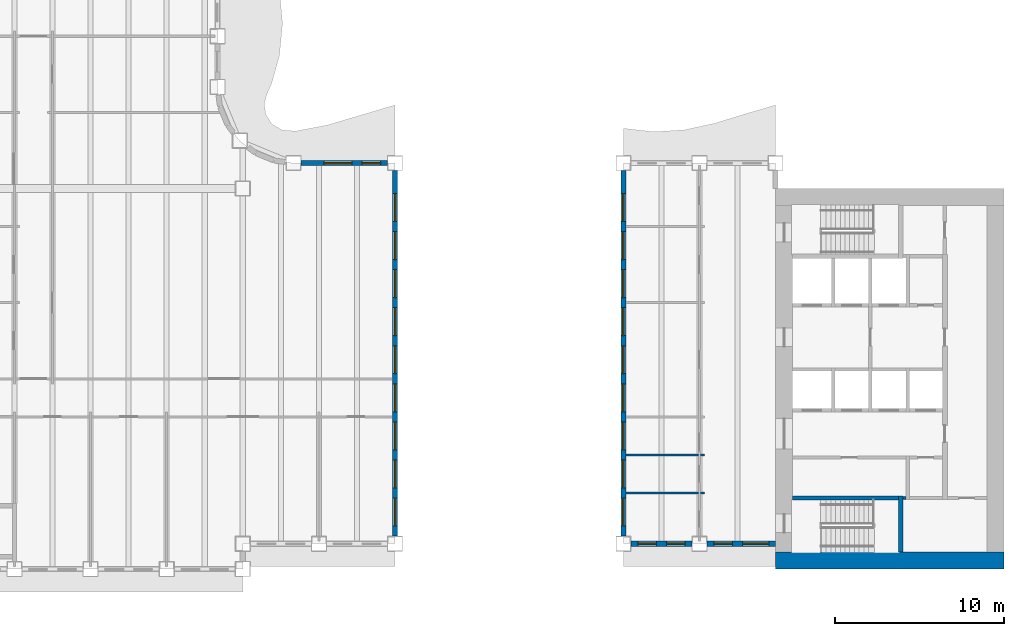
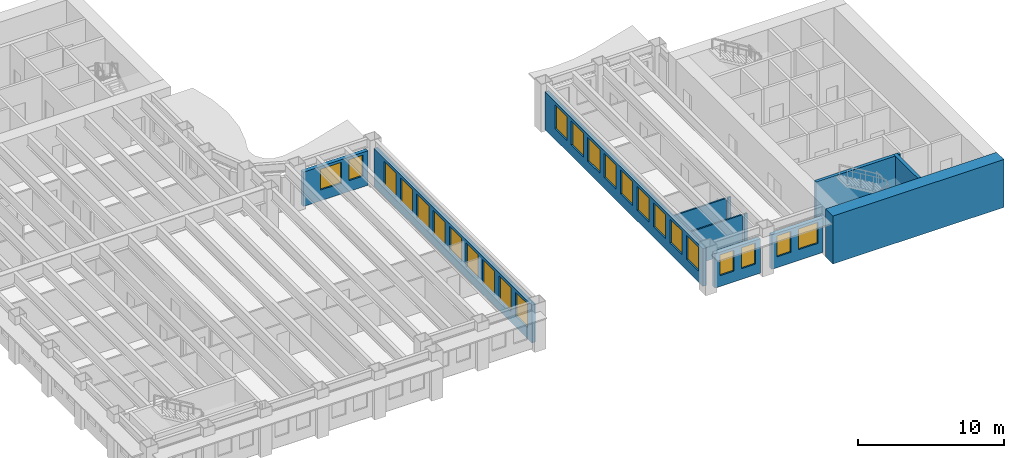
# One storey, part 5 of 13: 24 windows, 13 walls, 24 openings.
"""IFC4 building model written with IfcOpenShell, lengths in metres."""

from ifc_helpers import new_model, si_unit, direction, frame, frame_2d, origin, place, context, subcontext, project, spatial, rectangle, extrude, material, layer, layer_set, type_object, element, fill, save


model = new_model("IFC4")

# Units and contexts
model_context = context("Model", 3, precision=1e-05, world=origin(), true_north=direction((0.0, 1.0)))
body_context = subcontext(model_context, "Body", "Model", "MODEL_VIEW")
ifc_project = project(units=[si_unit("LENGTHUNIT", "METRE"), si_unit("AREAUNIT", "SQUARE_METRE"), si_unit("VOLUMEUNIT", "CUBIC_METRE"), si_unit("PLANEANGLEUNIT", "RADIAN"), si_unit("MASSUNIT", "GRAM", prefix="KILO")], contexts=[model_context])

# Site, building, storey
site_placement = place(None, origin())
site = spatial("IfcSite", under=ifc_project, at=site_placement, CompositionType="ELEMENT")
building_placement = place(site_placement, origin())
building = spatial("IfcBuilding", under=site, at=building_placement, Name="Sennacour Bend Tower", CompositionType="ELEMENT")
storey_placement = place(building_placement, frame((0.0, 0.0, 143.0)))
storey = spatial("IfcBuildingStorey", under=building, at=storey_placement, Name="L32", CompositionType="ELEMENT", Elevation=143.0)

# Walls
ifc_material_1 = material(Name="Concrete C60/75", Category="concrete")
ifc_layer_1 = layer(ifc_material_1, 1.0, Name="Concrete C60/75", Category="concrete")
ifc_layer_set_1 = layer_set([ifc_layer_1], Name="Concrete C60/75")
wall_type_1 = type_object("IfcWallType", Name="Core wall 1000 C60/75", PredefinedType="SHEAR", material=ifc_layer_set_1)
wall_1_placement = place(storey_placement, frame((67.5, 0.5, -0.14990234375), z_axis=(0.0, 0.0, 1.0), x_axis=(-1.0, 0.0, 0.0)))
element("IfcWall", 1, at=wall_1_placement, inside=storey, type_object=wall_type_1, Name="Core A wall L32 S", PredefinedType="SHEAR", context=body_context, shape_type="SweptSolid", body=[
    extrude(rectangle(XDim=13.5, YDim=1.0, at=frame_2d((6.75, 0.0))), origin(), (0.0, 0.0, 1.0), 4.0),
])
ifc_material_2 = material(Name="Plasterboard partition on steel studs", Category="steel")
ifc_layer_2 = layer(ifc_material_2, 0.1201171875, Name="Plasterboard partition on steel studs", Category="steel")
ifc_layer_set_2 = layer_set([ifc_layer_2], Name="Plasterboard partition on steel studs")
wall_type_2 = type_object("IfcWallType", Name="Partition 120", PredefinedType="PARTITIONING", material=ifc_layer_set_2)
wall_2_placement = place(storey_placement, frame((45.14990234375, 4.5, 0.0), z_axis=(0.0, 0.0, 1.0), x_axis=(1.0, 0.0, 0.0)))
element("IfcWall", 2, at=wall_2_placement, inside=storey, type_object=wall_type_2, Name="P-L32-W048aa", PredefinedType="PARTITIONING", context=body_context, shape_type="SweptSolid", body=[
    extrude(rectangle(XDim=4.2900390625, YDim=0.1201171875, at=frame_2d((2.14501953125, 0.0))), origin(), (0.0, 0.0, 1.0), 2.8701171875),
])
wall_3_placement = place(storey_placement, frame((49.56005859375, 4.5, 0.0), z_axis=(0.0, 0.0, 1.0), x_axis=(1.0, 0.0, 0.0)))
element("IfcWall", 3, at=wall_3_placement, inside=storey, type_object=wall_type_2, Name="P-L32-W048ab", PredefinedType="PARTITIONING", context=body_context, shape_type="SweptSolid", body=[
    extrude(rectangle(XDim=0.239990234375, YDim=0.1201171875, at=frame_2d((0.1201171875, 0.0))), origin(), (0.0, 0.0, 1.0), 2.8701171875),
])
wall_4_placement = place(storey_placement, frame((45.14990234375, 6.75, 0.0), z_axis=(0.0, 0.0, 1.0), x_axis=(1.0, 0.0, 0.0)))
element("IfcWall", 4, at=wall_4_placement, inside=storey, type_object=wall_type_2, Name="P-L32-W050aa", PredefinedType="PARTITIONING", context=body_context, shape_type="SweptSolid", body=[
    extrude(rectangle(XDim=4.2900390625, YDim=0.1201171875, at=frame_2d((2.14501953125, 0.0))), origin(), (0.0, 0.0, 1.0), 2.8701171875),
])
wall_5_placement = place(storey_placement, frame((49.56005859375, 6.75, 0.0), z_axis=(0.0, 0.0, 1.0), x_axis=(1.0, 0.0, 0.0)))
element("IfcWall", 5, at=wall_5_placement, inside=storey, type_object=wall_type_2, Name="P-L32-W050ab", PredefinedType="PARTITIONING", context=body_context, shape_type="SweptSolid", body=[
    extrude(rectangle(XDim=0.239990234375, YDim=0.1201171875, at=frame_2d((0.1201171875, 0.0))), origin(), (0.0, 0.0, 1.0), 2.8701171875),
])
ifc_material_3 = material(Name="Fire-rated plasterboard partition on steel studs", Category="steel")
ifc_layer_3 = layer(ifc_material_3, 0.199951171875, Name="Fire-rated plasterboard partition on steel studs", Category="steel")
ifc_layer_set_3 = layer_set([ifc_layer_3], Name="Fire-rated plasterboard partition on steel studs")
wall_type_3 = type_object("IfcWallType", Name="Rated partition 200", PredefinedType="PARTITIONING", material=ifc_layer_set_3)
wall_6_placement = place(storey_placement, frame((61.52490234375, 4.199951171875, 0.0), z_axis=(0.0, 0.0, 1.0), x_axis=(1.0, 0.0, 0.0)))
element("IfcWall", 6, at=wall_6_placement, inside=storey, type_object=wall_type_3, Name="P-L32-W047a", PredefinedType="PARTITIONING", context=body_context, shape_type="SweptSolid", body=[
    extrude(rectangle(XDim=0.175048828125, YDim=0.199951171875, at=frame_2d((0.08740234375, 0.0))), origin(), (0.0, 0.0, 1.0), 3.85009765625),
])

# Wall, openings, windows
ifc_material_4 = material(Name="Warm limestone cladding", Category="masonry")
ifc_layer_4 = layer(ifc_material_4, 0.050048828125, Name="Warm limestone cladding", Category="masonry")
ifc_material_5 = material(Name="Precast concrete C40/50", Category="concrete")
ifc_layer_5 = layer(ifc_material_5, 0.25, Name="Precast concrete C40/50", Category="concrete")
ifc_layer_set_4 = layer_set([ifc_layer_4, ifc_layer_5], Name="Precast concrete C40/50 with limestone cladding")
wall_type_4 = type_object("IfcWallType", Name="STONE-CLAD PRECAST SPANDREL 300", PredefinedType="STANDARD", material=ifc_layer_set_4)
wall_7_placement = place(storey_placement, frame((45.449951171875, 1.5, 0.0), z_axis=(0.0, 0.0, 1.0), x_axis=(1.0, 0.0, 0.0)))
wall_7 = element("IfcWall", 7, at=wall_7_placement, inside=storey, type_object=wall_type_4, Name="Stone spandrel and pier wall L32 00.00", PredefinedType="STANDARD", context=body_context, shape_type="SweptSolid", body=[
    extrude(rectangle(XDim=3.60009765625, YDim=0.300048828125, at=frame_2d((1.800048828125, 0.0))), origin(), (0.0, 0.0, 1.0), 2.8701171875),
])
opening_1_placement = place(wall_7_placement, frame((0.39990234375, 0.0, 0.89990234375)))
opening_1 = element("IfcOpeningElement", 8, at=opening_1_placement, cuts=wall_7, Name="Opening W17", PredefinedType="OPENING", context=body_context, shape_type="SweptSolid", body=[
    extrude(rectangle(XDim=1.10009765625, YDim=1.75, at=frame_2d((0.550048828125, 0.875))), frame((0.0, 0.16015625, 0.0), z_axis=(0.0, -1.0, 0.0), x_axis=(1.0, 0.0, 0.0)), (0.0, 0.0, 1.0), 0.320068359375),
])
opening_2_placement = place(wall_7_placement, frame((2.10009765625, 0.0, 0.89990234375)))
opening_2 = element("IfcOpeningElement", 9, at=opening_2_placement, cuts=wall_7, Name="Opening W17", PredefinedType="OPENING", context=body_context, shape_type="SweptSolid", body=[
    extrude(rectangle(XDim=1.10009765625, YDim=1.75, at=frame_2d((0.550048828125, 0.875))), frame((0.0, 0.16015625, 0.0), z_axis=(0.0, -1.0, 0.0), x_axis=(1.0, 0.0, 0.0)), (0.0, 0.0, 1.0), 0.320068359375),
])
ifc_material_6 = material(Name="Clear low-emissivity glass", Category="glass")
window_type_1 = type_object("IfcWindowType", Name="WIN-RIBBON-1100x1750", PartitioningType="SINGLE_PANEL", PredefinedType="WINDOW", material=ifc_material_6)
window_1_placement = place(opening_1_placement, origin())
window_1 = element("IfcWindow", 10, at=window_1_placement, inside=storey, type_object=window_type_1, Name="Ribbon window L32 00.00.0", OverallHeight=1.75, OverallWidth=1.10009765625, PartitioningType="SINGLE_PANEL", PredefinedType="WINDOW", context=body_context, shape_type="SweptSolid", body=[
    extrude(rectangle(XDim=1.10009765625, YDim=1.75, at=frame_2d((0.550048828125, 0.875))), frame((0.0, 0.030029296875, 0.0), z_axis=(0.0, -1.0, 0.0), x_axis=(1.0, 0.0, 0.0)), (0.0, 0.0, 1.0), 0.06005859375),
])
fill(opening_1, window_1)
window_2_placement = place(opening_2_placement, origin())
window_2 = element("IfcWindow", 11, at=window_2_placement, inside=storey, type_object=window_type_1, Name="Ribbon window L32 00.00.1", OverallHeight=1.75, OverallWidth=1.10009765625, PartitioningType="SINGLE_PANEL", PredefinedType="WINDOW", context=body_context, shape_type="SweptSolid", body=[
    extrude(rectangle(XDim=1.10009765625, YDim=1.75, at=frame_2d((0.550048828125, 0.875))), frame((0.0, 0.030029296875, 0.0), z_axis=(0.0, -1.0, 0.0), x_axis=(1.0, 0.0, 0.0)), (0.0, 0.0, 1.0), 0.06005859375),
])
fill(opening_2, window_2)

wall_8_placement = place(storey_placement, frame((49.949951171875, 1.5, 0.0), z_axis=(0.0, 0.0, 1.0), x_axis=(1.0, 0.0, 0.0)))
wall_8 = element("IfcWall", 12, at=wall_8_placement, inside=storey, type_object=wall_type_4, Name="Stone spandrel and pier wall L32 00.01", PredefinedType="STANDARD", context=body_context, shape_type="SweptSolid", body=[
    extrude(rectangle(XDim=4.050048828125, YDim=0.300048828125, at=frame_2d((2.02490234375, 0.0))), origin(), (0.0, 0.0, 1.0), 2.8701171875),
])
opening_3_placement = place(wall_8_placement, frame((0.39990234375, 0.0, 0.89990234375)))
opening_3 = element("IfcOpeningElement", 13, at=opening_3_placement, cuts=wall_8, Name="Opening W17", PredefinedType="OPENING", context=body_context, shape_type="SweptSolid", body=[
    extrude(rectangle(XDim=1.10009765625, YDim=1.75, at=frame_2d((0.550048828125, 0.875))), frame((0.0, 0.16015625, 0.0), z_axis=(0.0, -1.0, 0.0), x_axis=(1.0, 0.0, 0.0)), (0.0, 0.0, 1.0), 0.320068359375),
])
opening_4_placement = place(wall_8_placement, frame((2.10009765625, 0.0, 0.89990234375)))
opening_4 = element("IfcOpeningElement", 14, at=opening_4_placement, cuts=wall_8, Name="Opening W12", PredefinedType="OPENING", context=body_context, shape_type="SweptSolid", body=[
    extrude(rectangle(XDim=1.550048828125, YDim=1.75, at=frame_2d((0.77490234375, 0.875))), frame((0.0, 0.16015625, 0.0), z_axis=(0.0, -1.0, 0.0), x_axis=(1.0, 0.0, 0.0)), (0.0, 0.0, 1.0), 0.320068359375),
])
window_3_placement = place(opening_3_placement, origin())
window_3 = element("IfcWindow", 15, at=window_3_placement, inside=storey, type_object=window_type_1, Name="Ribbon window L32 00.01.0", OverallHeight=1.75, OverallWidth=1.10009765625, PartitioningType="SINGLE_PANEL", PredefinedType="WINDOW", context=body_context, shape_type="SweptSolid", body=[
    extrude(rectangle(XDim=1.10009765625, YDim=1.75, at=frame_2d((0.550048828125, 0.875))), frame((0.0, 0.030029296875, 0.0), z_axis=(0.0, -1.0, 0.0), x_axis=(1.0, 0.0, 0.0)), (0.0, 0.0, 1.0), 0.06005859375),
])
fill(opening_3, window_3)
window_type_2 = type_object("IfcWindowType", Name="WIN-RIBBON-1550x1750", PartitioningType="SINGLE_PANEL", PredefinedType="WINDOW", material=ifc_material_6)
window_4_placement = place(opening_4_placement, origin())
window_4 = element("IfcWindow", 16, at=window_4_placement, inside=storey, type_object=window_type_2, Name="Ribbon window L32 00.01.1", OverallHeight=1.75, OverallWidth=1.550048828125, PartitioningType="SINGLE_PANEL", PredefinedType="WINDOW", context=body_context, shape_type="SweptSolid", body=[
    extrude(rectangle(XDim=1.550048828125, YDim=1.75, at=frame_2d((0.77490234375, 0.875))), frame((0.0, 0.030029296875, 0.0), z_axis=(0.0, -1.0, 0.0), x_axis=(1.0, 0.0, 0.0)), (0.0, 0.0, 1.0), 0.06005859375),
])
fill(opening_4, window_4)

wall_9_placement = place(storey_placement, frame((45.0, 23.550048828125, 0.0), z_axis=(0.0, 0.0, 1.0), x_axis=(0.0, -1.0, 0.0)))
wall_9 = element("IfcWall", 17, at=wall_9_placement, inside=storey, type_object=wall_type_4, Name="Stone spandrel and pier wall L32 07.00", PredefinedType="STANDARD", context=body_context, shape_type="SweptSolid", body=[
    extrude(rectangle(XDim=21.60009765625, YDim=0.300048828125, at=frame_2d((10.800048828125, 0.0))), origin(), (0.0, 0.0, 1.0), 3.14892578125),
])
opening_5_placement = place(wall_9_placement, frame((1.35009765625, 0.0, 0.89990234375)))
opening_5 = element("IfcOpeningElement", 18, at=opening_5_placement, cuts=wall_9, Name="Opening W10", PredefinedType="OPENING", context=body_context, shape_type="SweptSolid", body=[
    extrude(rectangle(XDim=1.64990234375, YDim=2.0, at=frame_2d((0.824951171875, 1.0))), frame((0.0, 0.16015625, 0.0), z_axis=(0.0, -1.0, 0.0), x_axis=(1.0, 0.0, 0.0)), (0.0, 0.0, 1.0), 0.320068359375),
])
opening_6_placement = place(wall_9_placement, frame((3.60009765625, 0.0, 0.89990234375)))
opening_6 = element("IfcOpeningElement", 19, at=opening_6_placement, cuts=wall_9, Name="Opening W10", PredefinedType="OPENING", context=body_context, shape_type="SweptSolid", body=[
    extrude(rectangle(XDim=1.64990234375, YDim=2.0, at=frame_2d((0.824951171875, 1.0))), frame((0.0, 0.16015625, 0.0), z_axis=(0.0, -1.0, 0.0), x_axis=(1.0, 0.0, 0.0)), (0.0, 0.0, 1.0), 0.320068359375),
])
opening_7_placement = place(wall_9_placement, frame((5.85009765625, 0.0, 0.89990234375)))
opening_7 = element("IfcOpeningElement", 20, at=opening_7_placement, cuts=wall_9, Name="Opening W10", PredefinedType="OPENING", context=body_context, shape_type="SweptSolid", body=[
    extrude(rectangle(XDim=1.64990234375, YDim=2.0, at=frame_2d((0.824951171875, 1.0))), frame((0.0, 0.16015625, 0.0), z_axis=(0.0, -1.0, 0.0), x_axis=(1.0, 0.0, 0.0)), (0.0, 0.0, 1.0), 0.320068359375),
])
opening_8_placement = place(wall_9_placement, frame((8.10009765625, 0.0, 0.89990234375)))
opening_8 = element("IfcOpeningElement", 21, at=opening_8_placement, cuts=wall_9, Name="Opening W10", PredefinedType="OPENING", context=body_context, shape_type="SweptSolid", body=[
    extrude(rectangle(XDim=1.64990234375, YDim=2.0, at=frame_2d((0.824951171875, 1.0))), frame((0.0, 0.16015625, 0.0), z_axis=(0.0, -1.0, 0.0), x_axis=(1.0, 0.0, 0.0)), (0.0, 0.0, 1.0), 0.320068359375),
])
opening_9_placement = place(wall_9_placement, frame((10.35009765625, 0.0, 0.89990234375)))
opening_9 = element("IfcOpeningElement", 22, at=opening_9_placement, cuts=wall_9, Name="Opening W10", PredefinedType="OPENING", context=body_context, shape_type="SweptSolid", body=[
    extrude(rectangle(XDim=1.64990234375, YDim=2.0, at=frame_2d((0.824951171875, 1.0))), frame((0.0, 0.16015625, 0.0), z_axis=(0.0, -1.0, 0.0), x_axis=(1.0, 0.0, 0.0)), (0.0, 0.0, 1.0), 0.320068359375),
])
opening_10_placement = place(wall_9_placement, frame((12.60009765625, 0.0, 0.89990234375)))
opening_10 = element("IfcOpeningElement", 23, at=opening_10_placement, cuts=wall_9, Name="Opening W10", PredefinedType="OPENING", context=body_context, shape_type="SweptSolid", body=[
    extrude(rectangle(XDim=1.64990234375, YDim=2.0, at=frame_2d((0.824951171875, 1.0))), frame((0.0, 0.16015625, 0.0), z_axis=(0.0, -1.0, 0.0), x_axis=(1.0, 0.0, 0.0)), (0.0, 0.0, 1.0), 0.320068359375),
])
opening_11_placement = place(wall_9_placement, frame((14.85009765625, 0.0, 0.89990234375)))
opening_11 = element("IfcOpeningElement", 24, at=opening_11_placement, cuts=wall_9, Name="Opening W10", PredefinedType="OPENING", context=body_context, shape_type="SweptSolid", body=[
    extrude(rectangle(XDim=1.64990234375, YDim=2.0, at=frame_2d((0.824951171875, 1.0))), frame((0.0, 0.16015625, 0.0), z_axis=(0.0, -1.0, 0.0), x_axis=(1.0, 0.0, 0.0)), (0.0, 0.0, 1.0), 0.320068359375),
])
opening_12_placement = place(wall_9_placement, frame((17.10009765625, 0.0, 0.89990234375)))
opening_12 = element("IfcOpeningElement", 25, at=opening_12_placement, cuts=wall_9, Name="Opening W10", PredefinedType="OPENING", context=body_context, shape_type="SweptSolid", body=[
    extrude(rectangle(XDim=1.64990234375, YDim=2.0, at=frame_2d((0.824951171875, 1.0))), frame((0.0, 0.16015625, 0.0), z_axis=(0.0, -1.0, 0.0), x_axis=(1.0, 0.0, 0.0)), (0.0, 0.0, 1.0), 0.320068359375),
])
opening_13_placement = place(wall_9_placement, frame((19.35009765625, 0.0, 0.89990234375)))
opening_13 = element("IfcOpeningElement", 26, at=opening_13_placement, cuts=wall_9, Name="Opening W10", PredefinedType="OPENING", context=body_context, shape_type="SweptSolid", body=[
    extrude(rectangle(XDim=1.64990234375, YDim=2.0, at=frame_2d((0.824951171875, 1.0))), frame((0.0, 0.16015625, 0.0), z_axis=(0.0, -1.0, 0.0), x_axis=(1.0, 0.0, 0.0)), (0.0, 0.0, 1.0), 0.320068359375),
])
window_type_3 = type_object("IfcWindowType", Name="WIN-RIBBON-1650x2000", PartitioningType="SINGLE_PANEL", PredefinedType="WINDOW", material=ifc_material_6)
window_5_placement = place(opening_5_placement, origin())
window_5 = element("IfcWindow", 27, at=window_5_placement, inside=storey, type_object=window_type_3, Name="Ribbon window L32 07.00.0", OverallHeight=2.0, OverallWidth=1.64990234375, PartitioningType="SINGLE_PANEL", PredefinedType="WINDOW", context=body_context, shape_type="SweptSolid", body=[
    extrude(rectangle(XDim=1.64990234375, YDim=2.0, at=frame_2d((0.824951171875, 1.0))), frame((0.0, 0.030029296875, 0.0), z_axis=(0.0, -1.0, 0.0), x_axis=(1.0, 0.0, 0.0)), (0.0, 0.0, 1.0), 0.06005859375),
])
fill(opening_5, window_5)
window_6_placement = place(opening_6_placement, origin())
window_6 = element("IfcWindow", 28, at=window_6_placement, inside=storey, type_object=window_type_3, Name="Ribbon window L32 07.00.1", OverallHeight=2.0, OverallWidth=1.64990234375, PartitioningType="SINGLE_PANEL", PredefinedType="WINDOW", context=body_context, shape_type="SweptSolid", body=[
    extrude(rectangle(XDim=1.64990234375, YDim=2.0, at=frame_2d((0.824951171875, 1.0))), frame((0.0, 0.030029296875, 0.0), z_axis=(0.0, -1.0, 0.0), x_axis=(1.0, 0.0, 0.0)), (0.0, 0.0, 1.0), 0.06005859375),
])
fill(opening_6, window_6)
window_7_placement = place(opening_7_placement, origin())
window_7 = element("IfcWindow", 29, at=window_7_placement, inside=storey, type_object=window_type_3, Name="Ribbon window L32 07.00.2", OverallHeight=2.0, OverallWidth=1.64990234375, PartitioningType="SINGLE_PANEL", PredefinedType="WINDOW", context=body_context, shape_type="SweptSolid", body=[
    extrude(rectangle(XDim=1.64990234375, YDim=2.0, at=frame_2d((0.824951171875, 1.0))), frame((0.0, 0.030029296875, 0.0), z_axis=(0.0, -1.0, 0.0), x_axis=(1.0, 0.0, 0.0)), (0.0, 0.0, 1.0), 0.06005859375),
])
fill(opening_7, window_7)
window_8_placement = place(opening_8_placement, origin())
window_8 = element("IfcWindow", 30, at=window_8_placement, inside=storey, type_object=window_type_3, Name="Ribbon window L32 07.00.3", OverallHeight=2.0, OverallWidth=1.64990234375, PartitioningType="SINGLE_PANEL", PredefinedType="WINDOW", context=body_context, shape_type="SweptSolid", body=[
    extrude(rectangle(XDim=1.64990234375, YDim=2.0, at=frame_2d((0.824951171875, 1.0))), frame((0.0, 0.030029296875, 0.0), z_axis=(0.0, -1.0, 0.0), x_axis=(1.0, 0.0, 0.0)), (0.0, 0.0, 1.0), 0.06005859375),
])
fill(opening_8, window_8)
window_9_placement = place(opening_9_placement, origin())
window_9 = element("IfcWindow", 31, at=window_9_placement, inside=storey, type_object=window_type_3, Name="Ribbon window L32 07.00.4", OverallHeight=2.0, OverallWidth=1.64990234375, PartitioningType="SINGLE_PANEL", PredefinedType="WINDOW", context=body_context, shape_type="SweptSolid", body=[
    extrude(rectangle(XDim=1.64990234375, YDim=2.0, at=frame_2d((0.824951171875, 1.0))), frame((0.0, 0.030029296875, 0.0), z_axis=(0.0, -1.0, 0.0), x_axis=(1.0, 0.0, 0.0)), (0.0, 0.0, 1.0), 0.06005859375),
])
fill(opening_9, window_9)
window_10_placement = place(opening_10_placement, origin())
window_10 = element("IfcWindow", 32, at=window_10_placement, inside=storey, type_object=window_type_3, Name="Ribbon window L32 07.00.5", OverallHeight=2.0, OverallWidth=1.64990234375, PartitioningType="SINGLE_PANEL", PredefinedType="WINDOW", context=body_context, shape_type="SweptSolid", body=[
    extrude(rectangle(XDim=1.64990234375, YDim=2.0, at=frame_2d((0.824951171875, 1.0))), frame((0.0, 0.030029296875, 0.0), z_axis=(0.0, -1.0, 0.0), x_axis=(1.0, 0.0, 0.0)), (0.0, 0.0, 1.0), 0.06005859375),
])
fill(opening_10, window_10)
window_11_placement = place(opening_11_placement, origin())
window_11 = element("IfcWindow", 33, at=window_11_placement, inside=storey, type_object=window_type_3, Name="Ribbon window L32 07.00.6", OverallHeight=2.0, OverallWidth=1.64990234375, PartitioningType="SINGLE_PANEL", PredefinedType="WINDOW", context=body_context, shape_type="SweptSolid", body=[
    extrude(rectangle(XDim=1.64990234375, YDim=2.0, at=frame_2d((0.824951171875, 1.0))), frame((0.0, 0.030029296875, 0.0), z_axis=(0.0, -1.0, 0.0), x_axis=(1.0, 0.0, 0.0)), (0.0, 0.0, 1.0), 0.06005859375),
])
fill(opening_11, window_11)
window_12_placement = place(opening_12_placement, origin())
window_12 = element("IfcWindow", 34, at=window_12_placement, inside=storey, type_object=window_type_3, Name="Ribbon window L32 07.00.7", OverallHeight=2.0, OverallWidth=1.64990234375, PartitioningType="SINGLE_PANEL", PredefinedType="WINDOW", context=body_context, shape_type="SweptSolid", body=[
    extrude(rectangle(XDim=1.64990234375, YDim=2.0, at=frame_2d((0.824951171875, 1.0))), frame((0.0, 0.030029296875, 0.0), z_axis=(0.0, -1.0, 0.0), x_axis=(1.0, 0.0, 0.0)), (0.0, 0.0, 1.0), 0.06005859375),
])
fill(opening_12, window_12)
window_13_placement = place(opening_13_placement, origin())
window_13 = element("IfcWindow", 35, at=window_13_placement, inside=storey, type_object=window_type_3, Name="Ribbon window L32 07.00.8", OverallHeight=2.0, OverallWidth=1.64990234375, PartitioningType="SINGLE_PANEL", PredefinedType="WINDOW", context=body_context, shape_type="SweptSolid", body=[
    extrude(rectangle(XDim=1.64990234375, YDim=2.0, at=frame_2d((0.824951171875, 1.0))), frame((0.0, 0.030029296875, 0.0), z_axis=(0.0, -1.0, 0.0), x_axis=(1.0, 0.0, 0.0)), (0.0, 0.0, 1.0), 0.06005859375),
])
fill(opening_13, window_13)

wall_10_placement = place(storey_placement, frame((31.050048828125, 24.0, 0.0), z_axis=(0.0, 0.0, 1.0), x_axis=(-1.0, 0.0, 0.0)))
wall_10 = element("IfcWall", 36, at=wall_10_placement, inside=storey, type_object=wall_type_4, Name="Stone spandrel and pier wall L32 08.00", PredefinedType="STANDARD", context=body_context, shape_type="SweptSolid", body=[
    extrude(rectangle(XDim=5.10009765625, YDim=0.300048828125, at=frame_2d((2.550048828125, 0.0))), origin(), (0.0, 0.0, 1.0), 2.8701171875),
])
opening_14_placement = place(wall_10_placement, frame((0.39990234375, 0.0, 0.89990234375)))
opening_14 = element("IfcOpeningElement", 37, at=opening_14_placement, cuts=wall_10, Name="Opening W17", PredefinedType="OPENING", context=body_context, shape_type="SweptSolid", body=[
    extrude(rectangle(XDim=1.10009765625, YDim=1.75, at=frame_2d((0.550048828125, 0.875))), frame((0.0, 0.16015625, 0.0), z_axis=(0.0, -1.0, 0.0), x_axis=(1.0, 0.0, 0.0)), (0.0, 0.0, 1.0), 0.320068359375),
])
opening_15_placement = place(wall_10_placement, frame((2.10009765625, 0.0, 0.89990234375)))
opening_15 = element("IfcOpeningElement", 38, at=opening_15_placement, cuts=wall_10, Name="Opening W18", PredefinedType="OPENING", context=body_context, shape_type="SweptSolid", body=[
    extrude(rectangle(XDim=1.64990234375, YDim=1.75, at=frame_2d((0.824951171875, 0.875))), frame((0.0, 0.16015625, 0.0), z_axis=(0.0, -1.0, 0.0), x_axis=(1.0, 0.0, 0.0)), (0.0, 0.0, 1.0), 0.320068359375),
])
window_14_placement = place(opening_14_placement, origin())
window_14 = element("IfcWindow", 39, at=window_14_placement, inside=storey, type_object=window_type_1, Name="Ribbon window L32 08.00.0", OverallHeight=1.75, OverallWidth=1.10009765625, PartitioningType="SINGLE_PANEL", PredefinedType="WINDOW", context=body_context, shape_type="SweptSolid", body=[
    extrude(rectangle(XDim=1.10009765625, YDim=1.75, at=frame_2d((0.550048828125, 0.875))), frame((0.0, 0.030029296875, 0.0), z_axis=(0.0, -1.0, 0.0), x_axis=(1.0, 0.0, 0.0)), (0.0, 0.0, 1.0), 0.06005859375),
])
fill(opening_14, window_14)
window_type_4 = type_object("IfcWindowType", Name="WIN-RIBBON-1650x1750", PartitioningType="SINGLE_PANEL", PredefinedType="WINDOW", material=ifc_material_6)
window_15_placement = place(opening_15_placement, origin())
window_15 = element("IfcWindow", 40, at=window_15_placement, inside=storey, type_object=window_type_4, Name="Ribbon window L32 08.00.1", OverallHeight=1.75, OverallWidth=1.64990234375, PartitioningType="SINGLE_PANEL", PredefinedType="WINDOW", context=body_context, shape_type="SweptSolid", body=[
    extrude(rectangle(XDim=1.64990234375, YDim=1.75, at=frame_2d((0.824951171875, 0.875))), frame((0.0, 0.030029296875, 0.0), z_axis=(0.0, -1.0, 0.0), x_axis=(1.0, 0.0, 0.0)), (0.0, 0.0, 1.0), 0.06005859375),
])
fill(opening_15, window_15)

wall_11_placement = place(storey_placement, frame((31.5, 1.949951171875, 0.0), z_axis=(0.0, 0.0, 1.0), x_axis=(0.0, 1.0, 0.0)))
wall_11 = element("IfcWall", 41, at=wall_11_placement, inside=storey, type_object=wall_type_4, Name="Stone spandrel and pier wall L32 27.00", PredefinedType="STANDARD", context=body_context, shape_type="SweptSolid", body=[
    extrude(rectangle(XDim=21.60009765625, YDim=0.300048828125, at=frame_2d((10.800048828125, 0.0))), origin(), (0.0, 0.0, 1.0), 3.14892578125),
])
opening_16_placement = place(wall_11_placement, frame((0.60009765625, 0.0, 0.89990234375)))
opening_16 = element("IfcOpeningElement", 42, at=opening_16_placement, cuts=wall_11, Name="Opening W10", PredefinedType="OPENING", context=body_context, shape_type="SweptSolid", body=[
    extrude(rectangle(XDim=1.64990234375, YDim=2.0, at=frame_2d((0.824951171875, 1.0))), frame((0.0, 0.16015625, 0.0), z_axis=(0.0, -1.0, 0.0), x_axis=(1.0, 0.0, 0.0)), (0.0, 0.0, 1.0), 0.320068359375),
])
opening_17_placement = place(wall_11_placement, frame((2.85009765625, 0.0, 0.89990234375)))
opening_17 = element("IfcOpeningElement", 43, at=opening_17_placement, cuts=wall_11, Name="Opening W10", PredefinedType="OPENING", context=body_context, shape_type="SweptSolid", body=[
    extrude(rectangle(XDim=1.64990234375, YDim=2.0, at=frame_2d((0.824951171875, 1.0))), frame((0.0, 0.16015625, 0.0), z_axis=(0.0, -1.0, 0.0), x_axis=(1.0, 0.0, 0.0)), (0.0, 0.0, 1.0), 0.320068359375),
])
opening_18_placement = place(wall_11_placement, frame((5.10009765625, 0.0, 0.89990234375)))
opening_18 = element("IfcOpeningElement", 44, at=opening_18_placement, cuts=wall_11, Name="Opening W10", PredefinedType="OPENING", context=body_context, shape_type="SweptSolid", body=[
    extrude(rectangle(XDim=1.64990234375, YDim=2.0, at=frame_2d((0.824951171875, 1.0))), frame((0.0, 0.16015625, 0.0), z_axis=(0.0, -1.0, 0.0), x_axis=(1.0, 0.0, 0.0)), (0.0, 0.0, 1.0), 0.320068359375),
])
opening_19_placement = place(wall_11_placement, frame((7.35009765625, 0.0, 0.89990234375)))
opening_19 = element("IfcOpeningElement", 45, at=opening_19_placement, cuts=wall_11, Name="Opening W10", PredefinedType="OPENING", context=body_context, shape_type="SweptSolid", body=[
    extrude(rectangle(XDim=1.64990234375, YDim=2.0, at=frame_2d((0.824951171875, 1.0))), frame((0.0, 0.16015625, 0.0), z_axis=(0.0, -1.0, 0.0), x_axis=(1.0, 0.0, 0.0)), (0.0, 0.0, 1.0), 0.320068359375),
])
opening_20_placement = place(wall_11_placement, frame((9.60009765625, 0.0, 0.89990234375)))
opening_20 = element("IfcOpeningElement", 46, at=opening_20_placement, cuts=wall_11, Name="Opening W10", PredefinedType="OPENING", context=body_context, shape_type="SweptSolid", body=[
    extrude(rectangle(XDim=1.64990234375, YDim=2.0, at=frame_2d((0.824951171875, 1.0))), frame((0.0, 0.16015625, 0.0), z_axis=(0.0, -1.0, 0.0), x_axis=(1.0, 0.0, 0.0)), (0.0, 0.0, 1.0), 0.320068359375),
])
opening_21_placement = place(wall_11_placement, frame((11.85009765625, 0.0, 0.89990234375)))
opening_21 = element("IfcOpeningElement", 47, at=opening_21_placement, cuts=wall_11, Name="Opening W10", PredefinedType="OPENING", context=body_context, shape_type="SweptSolid", body=[
    extrude(rectangle(XDim=1.64990234375, YDim=2.0, at=frame_2d((0.824951171875, 1.0))), frame((0.0, 0.16015625, 0.0), z_axis=(0.0, -1.0, 0.0), x_axis=(1.0, 0.0, 0.0)), (0.0, 0.0, 1.0), 0.320068359375),
])
opening_22_placement = place(wall_11_placement, frame((14.10009765625, 0.0, 0.89990234375)))
opening_22 = element("IfcOpeningElement", 48, at=opening_22_placement, cuts=wall_11, Name="Opening W10", PredefinedType="OPENING", context=body_context, shape_type="SweptSolid", body=[
    extrude(rectangle(XDim=1.64990234375, YDim=2.0, at=frame_2d((0.824951171875, 1.0))), frame((0.0, 0.16015625, 0.0), z_axis=(0.0, -1.0, 0.0), x_axis=(1.0, 0.0, 0.0)), (0.0, 0.0, 1.0), 0.320068359375),
])
opening_23_placement = place(wall_11_placement, frame((16.35009765625, 0.0, 0.89990234375)))
opening_23 = element("IfcOpeningElement", 49, at=opening_23_placement, cuts=wall_11, Name="Opening W10", PredefinedType="OPENING", context=body_context, shape_type="SweptSolid", body=[
    extrude(rectangle(XDim=1.64990234375, YDim=2.0, at=frame_2d((0.824951171875, 1.0))), frame((0.0, 0.16015625, 0.0), z_axis=(0.0, -1.0, 0.0), x_axis=(1.0, 0.0, 0.0)), (0.0, 0.0, 1.0), 0.320068359375),
])
opening_24_placement = place(wall_11_placement, frame((18.60009765625, 0.0, 0.89990234375)))
opening_24 = element("IfcOpeningElement", 50, at=opening_24_placement, cuts=wall_11, Name="Opening W10", PredefinedType="OPENING", context=body_context, shape_type="SweptSolid", body=[
    extrude(rectangle(XDim=1.64990234375, YDim=2.0, at=frame_2d((0.824951171875, 1.0))), frame((0.0, 0.16015625, 0.0), z_axis=(0.0, -1.0, 0.0), x_axis=(1.0, 0.0, 0.0)), (0.0, 0.0, 1.0), 0.320068359375),
])
window_16_placement = place(opening_16_placement, origin())
window_16 = element("IfcWindow", 51, at=window_16_placement, inside=storey, type_object=window_type_3, Name="Ribbon window L32 27.00.0", OverallHeight=2.0, OverallWidth=1.64990234375, PartitioningType="SINGLE_PANEL", PredefinedType="WINDOW", context=body_context, shape_type="SweptSolid", body=[
    extrude(rectangle(XDim=1.64990234375, YDim=2.0, at=frame_2d((0.824951171875, 1.0))), frame((0.0, 0.030029296875, 0.0), z_axis=(0.0, -1.0, 0.0), x_axis=(1.0, 0.0, 0.0)), (0.0, 0.0, 1.0), 0.06005859375),
])
fill(opening_16, window_16)
window_17_placement = place(opening_17_placement, origin())
window_17 = element("IfcWindow", 52, at=window_17_placement, inside=storey, type_object=window_type_3, Name="Ribbon window L32 27.00.1", OverallHeight=2.0, OverallWidth=1.64990234375, PartitioningType="SINGLE_PANEL", PredefinedType="WINDOW", context=body_context, shape_type="SweptSolid", body=[
    extrude(rectangle(XDim=1.64990234375, YDim=2.0, at=frame_2d((0.824951171875, 1.0))), frame((0.0, 0.030029296875, 0.0), z_axis=(0.0, -1.0, 0.0), x_axis=(1.0, 0.0, 0.0)), (0.0, 0.0, 1.0), 0.06005859375),
])
fill(opening_17, window_17)
window_18_placement = place(opening_18_placement, origin())
window_18 = element("IfcWindow", 53, at=window_18_placement, inside=storey, type_object=window_type_3, Name="Ribbon window L32 27.00.2", OverallHeight=2.0, OverallWidth=1.64990234375, PartitioningType="SINGLE_PANEL", PredefinedType="WINDOW", context=body_context, shape_type="SweptSolid", body=[
    extrude(rectangle(XDim=1.64990234375, YDim=2.0, at=frame_2d((0.824951171875, 1.0))), frame((0.0, 0.030029296875, 0.0), z_axis=(0.0, -1.0, 0.0), x_axis=(1.0, 0.0, 0.0)), (0.0, 0.0, 1.0), 0.06005859375),
])
fill(opening_18, window_18)
window_19_placement = place(opening_19_placement, origin())
window_19 = element("IfcWindow", 54, at=window_19_placement, inside=storey, type_object=window_type_3, Name="Ribbon window L32 27.00.3", OverallHeight=2.0, OverallWidth=1.64990234375, PartitioningType="SINGLE_PANEL", PredefinedType="WINDOW", context=body_context, shape_type="SweptSolid", body=[
    extrude(rectangle(XDim=1.64990234375, YDim=2.0, at=frame_2d((0.824951171875, 1.0))), frame((0.0, 0.030029296875, 0.0), z_axis=(0.0, -1.0, 0.0), x_axis=(1.0, 0.0, 0.0)), (0.0, 0.0, 1.0), 0.06005859375),
])
fill(opening_19, window_19)
window_20_placement = place(opening_20_placement, origin())
window_20 = element("IfcWindow", 55, at=window_20_placement, inside=storey, type_object=window_type_3, Name="Ribbon window L32 27.00.4", OverallHeight=2.0, OverallWidth=1.64990234375, PartitioningType="SINGLE_PANEL", PredefinedType="WINDOW", context=body_context, shape_type="SweptSolid", body=[
    extrude(rectangle(XDim=1.64990234375, YDim=2.0, at=frame_2d((0.824951171875, 1.0))), frame((0.0, 0.030029296875, 0.0), z_axis=(0.0, -1.0, 0.0), x_axis=(1.0, 0.0, 0.0)), (0.0, 0.0, 1.0), 0.06005859375),
])
fill(opening_20, window_20)
window_21_placement = place(opening_21_placement, origin())
window_21 = element("IfcWindow", 56, at=window_21_placement, inside=storey, type_object=window_type_3, Name="Ribbon window L32 27.00.5", OverallHeight=2.0, OverallWidth=1.64990234375, PartitioningType="SINGLE_PANEL", PredefinedType="WINDOW", context=body_context, shape_type="SweptSolid", body=[
    extrude(rectangle(XDim=1.64990234375, YDim=2.0, at=frame_2d((0.824951171875, 1.0))), frame((0.0, 0.030029296875, 0.0), z_axis=(0.0, -1.0, 0.0), x_axis=(1.0, 0.0, 0.0)), (0.0, 0.0, 1.0), 0.06005859375),
])
fill(opening_21, window_21)
window_22_placement = place(opening_22_placement, origin())
window_22 = element("IfcWindow", 57, at=window_22_placement, inside=storey, type_object=window_type_3, Name="Ribbon window L32 27.00.6", OverallHeight=2.0, OverallWidth=1.64990234375, PartitioningType="SINGLE_PANEL", PredefinedType="WINDOW", context=body_context, shape_type="SweptSolid", body=[
    extrude(rectangle(XDim=1.64990234375, YDim=2.0, at=frame_2d((0.824951171875, 1.0))), frame((0.0, 0.030029296875, 0.0), z_axis=(0.0, -1.0, 0.0), x_axis=(1.0, 0.0, 0.0)), (0.0, 0.0, 1.0), 0.06005859375),
])
fill(opening_22, window_22)
window_23_placement = place(opening_23_placement, origin())
window_23 = element("IfcWindow", 58, at=window_23_placement, inside=storey, type_object=window_type_3, Name="Ribbon window L32 27.00.7", OverallHeight=2.0, OverallWidth=1.64990234375, PartitioningType="SINGLE_PANEL", PredefinedType="WINDOW", context=body_context, shape_type="SweptSolid", body=[
    extrude(rectangle(XDim=1.64990234375, YDim=2.0, at=frame_2d((0.824951171875, 1.0))), frame((0.0, 0.030029296875, 0.0), z_axis=(0.0, -1.0, 0.0), x_axis=(1.0, 0.0, 0.0)), (0.0, 0.0, 1.0), 0.06005859375),
])
fill(opening_23, window_23)
window_24_placement = place(opening_24_placement, origin())
window_24 = element("IfcWindow", 59, at=window_24_placement, inside=storey, type_object=window_type_3, Name="Ribbon window L32 27.00.8", OverallHeight=2.0, OverallWidth=1.64990234375, PartitioningType="SINGLE_PANEL", PredefinedType="WINDOW", context=body_context, shape_type="SweptSolid", body=[
    extrude(rectangle(XDim=1.64990234375, YDim=2.0, at=frame_2d((0.824951171875, 1.0))), frame((0.0, 0.030029296875, 0.0), z_axis=(0.0, -1.0, 0.0), x_axis=(1.0, 0.0, 0.0)), (0.0, 0.0, 1.0), 0.06005859375),
])
fill(opening_24, window_24)

# Walls
ifc_layer_6 = layer(ifc_material_1, 0.25, Name="Concrete C60/75", Category="concrete")
ifc_layer_set_5 = layer_set([ifc_layer_6], Name="Concrete C60/75")
wall_type_5 = type_object("IfcWallType", Name="Stair wall 250", PredefinedType="SHEAR", material=ifc_layer_set_5)
wall_12_placement = place(storey_placement, frame((61.39990234375, 1.0, 0.0), z_axis=(0.0, 0.0, 1.0), x_axis=(0.0, 1.0, 0.0)))
element("IfcWall", 60, at=wall_12_placement, inside=storey, type_object=wall_type_5, Name="P-L32-W034", PredefinedType="SHEAR", context=body_context, shape_type="SweptSolid", body=[
    extrude(rectangle(XDim=3.324951171875, YDim=0.25, at=frame_2d((1.66259765625, 0.0))), origin(), (0.0, 0.0, 1.0), 3.85009765625),
])
wall_13_placement = place(storey_placement, frame((55.0, 4.199951171875, 0.0), z_axis=(0.0, 0.0, 1.0), x_axis=(1.0, 0.0, 0.0)))
element("IfcWall", 61, at=wall_13_placement, inside=storey, type_object=wall_type_5, Name="P-L32-W046", PredefinedType="SHEAR", context=body_context, shape_type="SweptSolid", body=[
    extrude(rectangle(XDim=6.27490234375, YDim=0.25, at=frame_2d((3.137451171875, 0.0))), origin(), (0.0, 0.0, 1.0), 3.85009765625),
])

save(model, "model.ifc")
